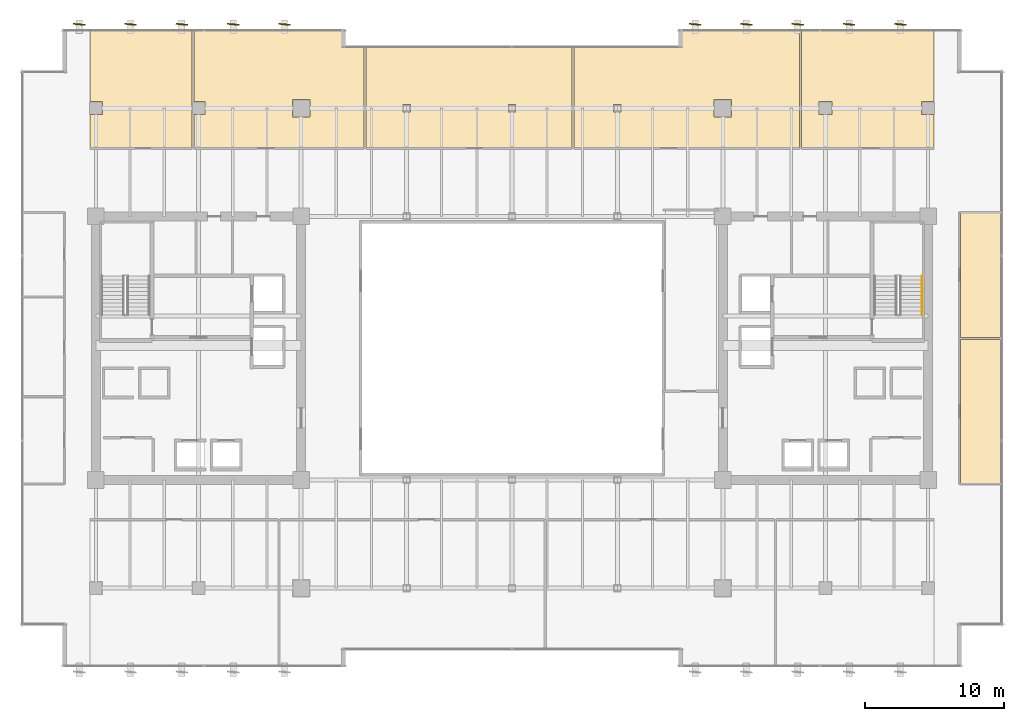
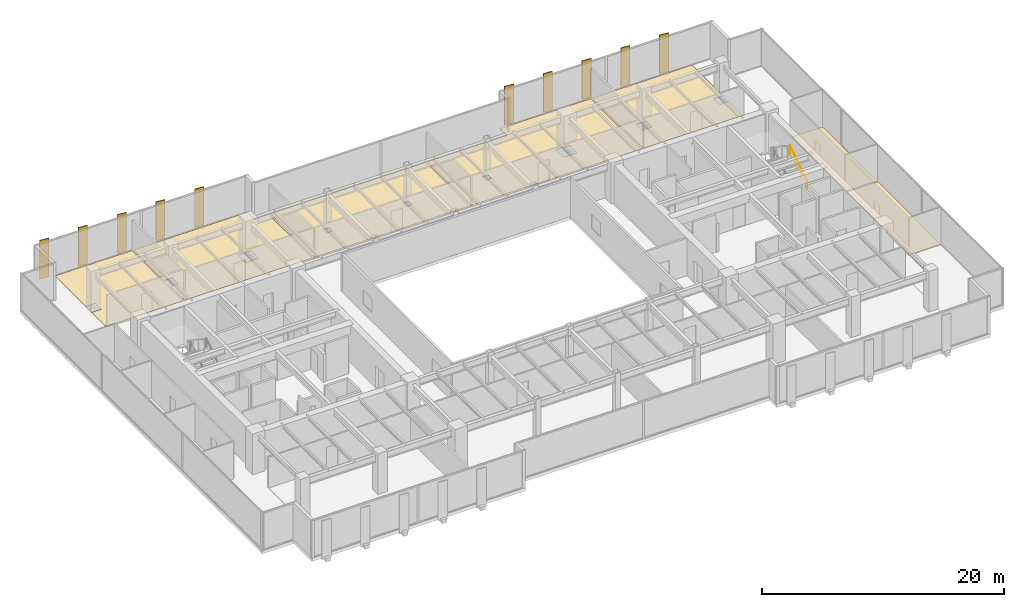
# One storey, part 34 of 34: 10 shading devices, 7 coverings, 1 railing.
"""IFC4 building model written with IfcOpenShell, lengths in metres."""

from ifc_helpers import new_model, si_unit, direction, frame, origin, origin_2d, place, context, subcontext, project, spatial, polyline, rectangle, circle, outline, extrude, source, transform, mapped, material, layer, layer_set, material_profile, profile_set, type_object, type_shapes, element, save


model = new_model("IFC4")

# Units and contexts
model_context = context("Model", 3, precision=1e-05, world=origin(), true_north=direction((0.0, 1.0)))
body_context = subcontext(model_context, "Body", "Model", "MODEL_VIEW")
ifc_project = project(units=[si_unit("LENGTHUNIT", "METRE"), si_unit("AREAUNIT", "SQUARE_METRE"), si_unit("VOLUMEUNIT", "CUBIC_METRE"), si_unit("PLANEANGLEUNIT", "RADIAN"), si_unit("MASSUNIT", "GRAM", prefix="KILO")], contexts=[model_context])

# Site, building, storey
site_placement = place(None, origin())
site = spatial("IfcSite", under=ifc_project, at=site_placement, CompositionType="ELEMENT")
building_placement = place(site_placement, origin())
building = spatial("IfcBuilding", under=site, at=building_placement, Name="Haelvirn Gate Laboratories", CompositionType="ELEMENT")
storey_placement = place(building_placement, frame((0.0, 0.0, 109.199951171875)))
storey = spatial("IfcBuildingStorey", under=building, at=storey_placement, Name="L26", CompositionType="ELEMENT", Elevation=109.199951171875)

# Coverings
ifc_material_1 = material(Name="Seamless chemical-resistant epoxy laboratory flooring")
ifc_layer = layer(ifc_material_1, 0.01806640625, Name="COV-FLR-RESIN")
ifc_layer_set = layer_set([ifc_layer], Name="Seamless chemical-resistant epoxy laboratory flooring")
covering_type = type_object("IfcCoveringType", Name="COV-FLR-RESIN", PredefinedType="FLOORING", material=ifc_layer_set)
covering_1_placement = place(storey_placement, origin())
element("IfcCovering", 1, at=covering_1_placement, inside=storey, type_object=covering_type, Name="L26 Seamless Laboratory Flooring FLR-SP-L26-N-01", PredefinedType="FLOORING", context=body_context, shape_type="SweptSolid", body=[
    extrude(outline(polyline([(7.8701171875, 41.1298828125), (7.8701171875, 42.070068359375), (6.97998046875, 42.070068359375), (6.97998046875, 47.18994140625), (14.320068359375, 47.18994140625), (14.320068359375, 38.77490234375), (6.97998046875, 38.77490234375), (6.97998046875, 41.1298828125), (7.8701171875, 41.1298828125)])), origin(), (0.0, 0.0, 1.0), 0.01806640625),
])
covering_2_placement = place(storey_placement, origin())
element("IfcCovering", 2, at=covering_2_placement, inside=storey, type_object=covering_type, Name="L26 Seamless Laboratory Flooring FLR-SP-L26-N-02", PredefinedType="FLOORING", context=body_context, shape_type="SweptSolid", body=[
    extrude(outline(polyline([(15.27001953125, 41.1298828125), (15.27001953125, 42.070068359375), (14.47998046875, 42.070068359375), (14.47998046875, 47.18994140625), (25.360107421875, 47.18994140625), (25.360107421875, 46.10009765625), (25.360107421875, 46.09619140625), (25.36083984375, 46.09228515625), (25.36181640625, 46.08837890625), (25.363037109375, 46.084716796875), (25.36474609375, 46.0810546875), (25.36669921875, 46.077880859375), (25.369140625, 46.07470703125), (25.37158203125, 46.07177734375), (25.37451171875, 46.069091796875), (25.377685546875, 46.066650390625), (25.381103515625, 46.064697265625), (25.384765625, 46.06298828125), (25.388427734375, 46.061767578125), (25.39208984375, 46.060791015625), (25.39599609375, 46.060302734375), (25.39990234375, 46.06005859375), (26.719970703125, 46.06005859375), (26.719970703125, 38.77490234375), (14.47998046875, 38.77490234375), (14.47998046875, 41.1298828125), (15.27001953125, 41.1298828125)]), holes=[polyline([(21.580078125, 42.219970703125), (21.580078125, 40.97998046875), (22.820068359375, 40.97998046875), (22.820068359375, 42.219970703125), (21.580078125, 42.219970703125)])]), origin(), (0.0, 0.0, 1.0), 0.01806640625),
])
covering_3_placement = place(storey_placement, origin())
element("IfcCovering", 3, at=covering_3_placement, inside=storey, type_object=covering_type, Name="L26 Seamless Laboratory Flooring FLR-SP-L26-N-03", PredefinedType="FLOORING", context=body_context, shape_type="SweptSolid", body=[
    extrude(outline(polyline([(41.719970703125, 46.06005859375), (41.719970703125, 38.77490234375), (26.8798828125, 38.77490234375), (26.8798828125, 46.06005859375), (41.719970703125, 46.06005859375)]), holes=[polyline([(29.530029296875, 41.330078125), (30.070068359375, 41.330078125), (30.070068359375, 41.8701171875), (29.530029296875, 41.8701171875), (29.530029296875, 41.330078125)]), polyline([(37.1298828125, 41.8701171875), (37.1298828125, 41.330078125), (37.669921875, 41.330078125), (37.669921875, 41.8701171875), (37.1298828125, 41.8701171875)])]), origin(), (0.0, 0.0, 1.0), 0.01806640625),
])
covering_4_placement = place(storey_placement, origin())
element("IfcCovering", 4, at=covering_4_placement, inside=storey, type_object=covering_type, Name="L26 Seamless Laboratory Flooring FLR-SP-L26-N-04", PredefinedType="FLOORING", context=body_context, shape_type="SweptSolid", body=[
    extrude(outline(polyline([(41.8798828125, 46.06005859375), (49.39990234375, 46.06005859375), (49.40380859375, 46.060302734375), (49.40771484375, 46.060791015625), (49.41162109375, 46.061767578125), (49.415283203125, 46.06298828125), (49.4189453125, 46.064697265625), (49.422119140625, 46.066650390625), (49.42529296875, 46.069091796875), (49.42822265625, 46.07177734375), (49.430908203125, 46.07470703125), (49.433349609375, 46.077880859375), (49.435302734375, 46.0810546875), (49.43701171875, 46.084716796875), (49.438232421875, 46.08837890625), (49.439208984375, 46.09228515625), (49.439697265625, 46.09619140625), (49.43994140625, 46.10009765625), (49.43994140625, 47.18994140625), (58.1201171875, 47.18994140625), (58.1201171875, 38.77490234375), (41.8798828125, 38.77490234375), (41.8798828125, 46.06005859375)]), holes=[polyline([(51.97998046875, 40.97998046875), (53.219970703125, 40.97998046875), (53.219970703125, 42.219970703125), (51.97998046875, 42.219970703125), (51.97998046875, 40.97998046875)]), polyline([(44.72998046875, 41.8701171875), (44.72998046875, 41.330078125), (45.27001953125, 41.330078125), (45.27001953125, 41.8701171875), (44.72998046875, 41.8701171875)])]), origin(), (0.0, 0.0, 1.0), 0.01806640625),
])
covering_5_placement = place(storey_placement, origin())
element("IfcCovering", 5, at=covering_5_placement, inside=storey, type_object=covering_type, Name="L26 Seamless Laboratory Flooring FLR-SP-L26-N-05", PredefinedType="FLOORING", context=body_context, shape_type="SweptSolid", body=[
    extrude(outline(polyline([(67.820068359375, 42.070068359375), (66.929931640625, 42.070068359375), (66.929931640625, 41.1298828125), (67.820068359375, 41.1298828125), (67.820068359375, 38.77490234375), (58.280029296875, 38.77490234375), (58.280029296875, 47.18994140625), (67.820068359375, 47.18994140625), (67.820068359375, 42.070068359375)]), holes=[polyline([(59.530029296875, 41.1298828125), (60.469970703125, 41.1298828125), (60.469970703125, 42.070068359375), (59.530029296875, 42.070068359375), (59.530029296875, 41.1298828125)])]), origin(), (0.0, 0.0, 1.0), 0.01806640625),
])
covering_6_placement = place(storey_placement, origin())
element("IfcCovering", 6, at=covering_6_placement, inside=storey, type_object=covering_type, Name="L26 Seamless Laboratory Flooring FLR-SP-L26-ECELL-01", PredefinedType="FLOORING", context=body_context, shape_type="SweptSolid", body=[
    extrude(outline(polyline([(69.739990234375, 24.93994140625), (72.68994140625, 24.93994140625), (72.68994140625, 14.514892578125), (69.739990234375, 14.514892578125), (69.739990234375, 24.93994140625)])), origin(), (0.0, 0.0, 1.0), 0.01806640625),
])
covering_7_placement = place(storey_placement, origin())
element("IfcCovering", 7, at=covering_7_placement, inside=storey, type_object=covering_type, Name="L26 Seamless Laboratory Flooring FLR-SP-L26-ECELL-02", PredefinedType="FLOORING", context=body_context, shape_type="SweptSolid", body=[
    extrude(outline(polyline([(69.739990234375, 34.0849609375), (72.68994140625, 34.0849609375), (72.68994140625, 25.06005859375), (69.739990234375, 25.06005859375), (69.739990234375, 34.0849609375)])), origin(), (0.0, 0.0, 1.0), 0.01806640625),
])

# Shading devices
ifc_material_2 = material(Name="Extruded aluminium 6063-T6 (anodised bronze)", Category="aluminium")
ifc_material_profile = material_profile(ifc_material_2, rectangle(XDim=0.074951171875, YDim=0.85009765625, at=origin_2d()), Name="FIN-850x75")
ifc_profile_set = profile_set([ifc_material_profile], Name="Extruded aluminium 6063-T6 (anodised bronze)")
shading_device_type = type_object("IfcShadingDeviceType", Name="SHD-FIN-850", PredefinedType="USERDEFINED", material=ifc_profile_set)
shared_shape_1 = source(origin(), body_context, "Body", "SweptSolid", [
    extrude(rectangle(XDim=0.074951171875, YDim=0.85009765625, at=origin_2d()), origin(), (0.0, 0.0, 1.0), 3.909912109375),
])
type_shapes(shading_device_type, [shared_shape_1])
for number, where, z_axis, x_axis, name in (
    (8, (6.199951171875, 47.64501953125, -0.179931640625), (0.0, 0.0, 1.0), (0.090632580198, 0.995884398616, 0.0), "L26 Fluted Bronze Vertical Fin N01"),
    (9, (9.89990234375, 47.64501953125, -0.179931640625), (0.0, 0.0, 1.0), (0.090632580198, 0.995884398616, 0.0), "L26 Fluted Bronze Vertical Fin N02"),
    (10, (13.60009765625, 47.64501953125, -0.179931640625), (0.0, 0.0, 1.0), (0.090632580198, 0.995884398616, 0.0), "L26 Fluted Bronze Vertical Fin N03"),
    (11, (17.300048828125, 47.64501953125, -0.179931640625), (0.0, 0.0, 1.0), (0.090632580198, 0.995884398616, 0.0), "L26 Fluted Bronze Vertical Fin N04"),
    (12, (21.0, 47.64501953125, -0.179931640625), (0.0, 0.0, 1.0), (0.090632580198, 0.995884398616, 0.0), "L26 Fluted Bronze Vertical Fin N05"),
    (13, (50.60009765625, 47.64501953125, -0.179931640625), (0.0, 0.0, 1.0), (0.090632580198, 0.995884398616, 0.0), "L26 Fluted Bronze Vertical Fin N06"),
    (14, (54.300048828125, 47.64501953125, -0.179931640625), (0.0, 0.0, 1.0), (0.090632580198, 0.995884398616, 0.0), "L26 Fluted Bronze Vertical Fin N07"),
    (15, (58.0, 47.64501953125, -0.179931640625), (0.0, 0.0, 1.0), (0.090632580198, 0.995884398616, 0.0), "L26 Fluted Bronze Vertical Fin N08"),
    (16, (61.699951171875, 47.64501953125, -0.179931640625), (0.0, 0.0, 1.0), (0.090632580198, 0.995884398616, 0.0), "L26 Fluted Bronze Vertical Fin N09"),
    (17, (65.39990234375, 47.64501953125, -0.179931640625), (0.0, 0.0, 1.0), (0.090632580198, 0.995884398616, 0.0), "L26 Fluted Bronze Vertical Fin N10"),
):
    element("IfcShadingDevice", number, at=place(storey_placement, frame(where, z_axis=z_axis, x_axis=x_axis)), inside=storey, type_object=shading_device_type, Name=name, ObjectType="FIN", PredefinedType="USERDEFINED", context=body_context, shape_type="MappedRepresentation", body=[
        mapped(shared_shape_1, transform((0.0, 0.0, 0.0), scale=1.0)),
    ])

# Railing
ifc_material_3 = material(Name="Brushed stainless steel 316L", Category="steel")
railing_type = type_object("IfcRailingType", Name="RL-HAND-920", PredefinedType="HANDRAIL", material=ifc_material_3)
shared_shape_2 = source(origin(), body_context, "Body", "SweptSolid", [
    extrude(circle(Radius=0.02392578125, at=origin_2d()), frame((0.0, 0.0, 0.8759765625), z_axis=(0.0, 0.832485552168, 0.554046753832), x_axis=(-1.0, 0.0, 0.0)), (0.0, 0.0, 1.0), 3.363525390625),
    extrude(circle(Radius=0.02099609375, at=origin_2d()), origin(), (0.0, 0.0, 1.0), 0.851806640625),
    extrude(circle(Radius=0.02099609375, at=origin_2d()), frame((0.0, 0.933349609375, 0.62109375)), (0.0, 0.0, 1.0), 0.851806640625),
    extrude(circle(Radius=0.02099609375, at=origin_2d()), frame((0.0, 1.86669921875, 1.242431640625)), (0.0, 0.0, 1.0), 0.851806640625),
    extrude(circle(Radius=0.02099609375, at=origin_2d()), frame((0.0, 2.800048828125, 1.863525390625)), (0.0, 0.0, 1.0), 0.851806640625),
])
type_shapes(railing_type, [shared_shape_2])
railing_placement = place(storey_placement, frame((66.949951171875, 26.699951171875, 0.1865234375)))
element("IfcRailing", 18, at=railing_placement, inside=storey, type_object=railing_type, Name="L26 ST2 stair handrail 1", PredefinedType="HANDRAIL", context=body_context, shape_type="MappedRepresentation", body=[
    mapped(shared_shape_2, transform((0.0, 0.0, 0.0), scale=1.0)),
])

save(model, "model.ifc")
